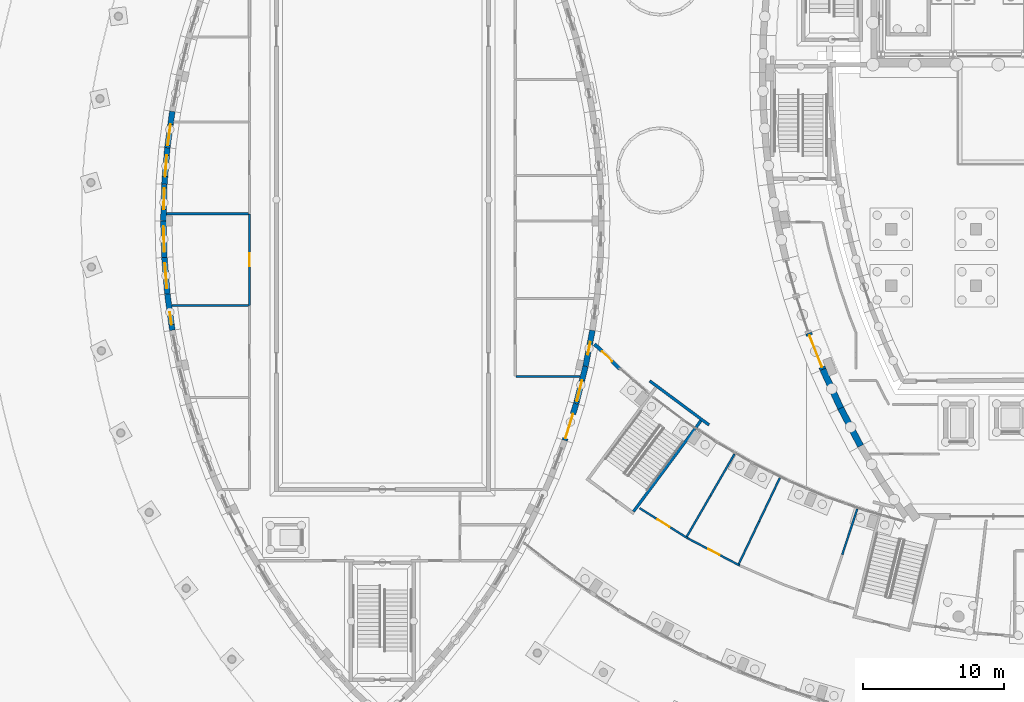
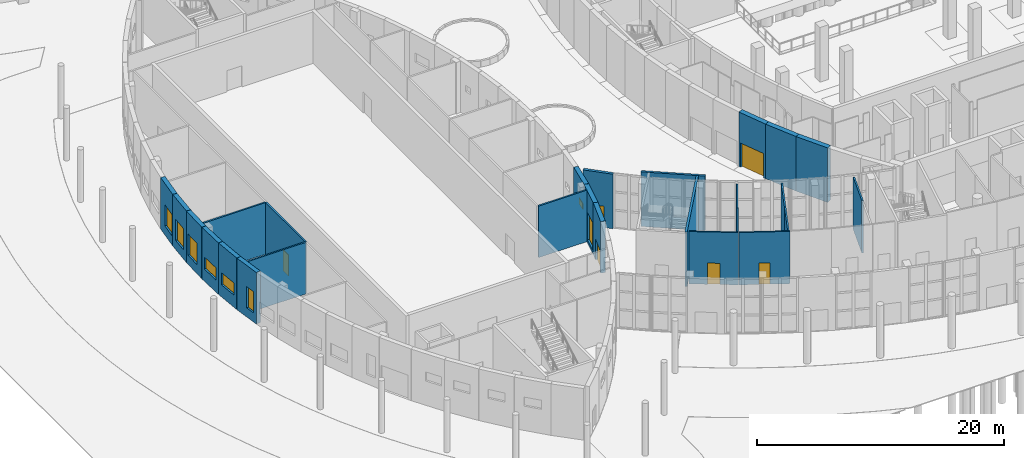
# One storey, part 43 of 82: 26 walls, 8 windows, 6 doors, 14 openings.
"""IFC4 building model written with IfcOpenShell, lengths in metres."""

from ifc_helpers import new_model, si_unit, direction, frame, frame_2d, origin, place, context, subcontext, project, spatial, rectangle, extrude, material, layer, layer_set, type_object, element, fill, save


model = new_model("IFC4")

# Units and contexts
model_context = context("Model", 3, precision=1e-05, world=origin(), true_north=direction((0.0, 1.0)))
body_context = subcontext(model_context, "Body", "Model", "MODEL_VIEW")
ifc_project = project(units=[si_unit("LENGTHUNIT", "METRE"), si_unit("AREAUNIT", "SQUARE_METRE"), si_unit("VOLUMEUNIT", "CUBIC_METRE"), si_unit("PLANEANGLEUNIT", "RADIAN"), si_unit("MASSUNIT", "GRAM", prefix="KILO")], contexts=[model_context])

# Site, building, storey
site_placement = place(None, origin())
site = spatial("IfcSite", under=ifc_project, at=site_placement, CompositionType="ELEMENT")
building_placement = place(site_placement, origin())
building = spatial("IfcBuilding", under=site, at=building_placement, Name="Tide Square Theatres", CompositionType="ELEMENT")
storey_placement = place(building_placement, origin())
storey = spatial("IfcBuildingStorey", under=building, at=storey_placement, Name="L00", CompositionType="ELEMENT", Elevation=0.0)

# Walls
ifc_material_1 = material(Name="Concrete masonry block", Category="masonry")
ifc_layer_1 = layer(ifc_material_1, 0.139892578125)
ifc_layer_set_1 = layer_set([ifc_layer_1], Name="Concrete masonry block")
wall_type_1 = type_object("IfcWallType", Name="Partition 140 thick", PredefinedType="PARTITIONING", material=ifc_layer_set_1)
wall_1_placement = place(storey_placement, frame((60.909912109375, 28.0068359375, 0.0), z_axis=(0.0, 0.0, 1.0), x_axis=(-0.499966231165, -0.866044899352, 0.0)))
element("IfcWall", 1, at=wall_1_placement, inside=storey, type_object=wall_type_1, Name="Foyer room partition", PredefinedType="PARTITIONING", context=body_context, shape_type="SweptSolid", body=[
    extrude(rectangle(XDim=3.409912109375, YDim=0.139892578125, at=frame_2d((1.705078125, 0.0))), origin(), (0.0, 0.0, 1.0), 5.179931640625),
])
wall_2_placement = place(storey_placement, frame((59.205078125, 25.0537109375, 0.0), z_axis=(0.0, 0.0, 1.0), x_axis=(-0.500018952895, -0.866014461049, 0.0)))
element("IfcWall", 2, at=wall_2_placement, inside=storey, type_object=wall_type_1, Name="Foyer room partition", PredefinedType="PARTITIONING", context=body_context, shape_type="SweptSolid", body=[
    extrude(rectangle(XDim=3.349853515625, YDim=0.139892578125, at=frame_2d((1.6748046875, 0.0))), origin(), (0.0, 0.0, 1.0), 5.179931640625),
])
wall_3_placement = place(storey_placement, frame((64.118896484375, 26.318603515625, 0.0), z_axis=(0.0, 0.0, 1.0), x_axis=(-0.430497650431, -0.90259169782, 0.0)))
element("IfcWall", 3, at=wall_3_placement, inside=storey, type_object=wall_type_1, Name="Foyer room partition", PredefinedType="PARTITIONING", context=body_context, shape_type="SweptSolid", body=[
    extrude(rectangle(XDim=3.41015625, YDim=0.139892578125, at=frame_2d((1.705078125, 0.0))), origin(), (0.0, 0.0, 1.0), 5.179931640625),
])
wall_4_placement = place(storey_placement, frame((62.65087890625, 23.24072265625, 0.0), z_axis=(0.0, 0.0, 1.0), x_axis=(-0.430519112568, -0.902581460985, 0.0)))
element("IfcWall", 4, at=wall_4_placement, inside=storey, type_object=wall_type_1, Name="Foyer room partition", PredefinedType="PARTITIONING", context=body_context, shape_type="SweptSolid", body=[
    extrude(rectangle(XDim=3.349853515625, YDim=0.139892578125, at=frame_2d((1.6748046875, 0.0))), origin(), (0.0, 0.0, 1.0), 5.179931640625),
])
wall_5_placement = place(storey_placement, frame((69.594970703125, 24.124267578125, 0.0), z_axis=(0.0, 0.0, 1.0), x_axis=(-0.311928968211, -0.950105425093, 0.0)))
element("IfcWall", 5, at=wall_5_placement, inside=storey, type_object=wall_type_1, Name="Foyer room partition", PredefinedType="PARTITIONING", context=body_context, shape_type="SweptSolid", body=[
    extrude(rectangle(XDim=3.41015625, YDim=0.139892578125, at=frame_2d((1.705078125, 0.0))), origin(), (0.0, 0.0, 1.0), 5.179931640625),
])

# Wall, opening, door
wall_6_placement = place(storey_placement, frame((54.192138671875, 24.176513671875, 0.0), z_axis=(0.0, 0.0, 1.0), x_axis=(0.847567325232, -0.530687883035, 0.0)))
wall_6 = element("IfcWall", 6, at=wall_6_placement, inside=storey, type_object=wall_type_1, Name="Foyer room wall", PredefinedType="PARTITIONING", context=body_context, shape_type="SweptSolid", body=[
    extrude(rectangle(XDim=4.012451171875, YDim=0.139892578125, at=frame_2d((2.00634765625, 0.0))), origin(), (0.0, 0.0, 1.0), 5.179931640625),
])
opening_1_placement = place(wall_6_placement, frame((1.506103515625, 0.0, 0.0)))
opening_1 = element("IfcOpeningElement", 7, at=opening_1_placement, cuts=wall_6, Name="Opening F00-17", PredefinedType="OPENING", context=body_context, shape_type="SweptSolid", body=[
    extrude(rectangle(XDim=1.0, YDim=2.10009765625, at=frame_2d((0.5, 1.050048828125))), frame((0.0, 0.079833984375, 0.0), z_axis=(0.0, -1.0, 0.0), x_axis=(1.0, 0.0, 0.0)), (0.0, 0.0, 1.0), 0.159912109375),
])
ifc_material_2 = material(Name="Hardwood timber", Category="wood")
door_type_1 = type_object("IfcDoorType", Name="Door 1000 x 2100 single leaf", OperationType="NOTDEFINED", PredefinedType="DOOR", material=ifc_material_2)
door_1_placement = place(opening_1_placement, origin())
door_1 = element("IfcDoor", 8, at=door_1_placement, inside=storey, type_object=door_type_1, Name="Cloakroom door", OperationType="SINGLE_SWING_RIGHT", OverallHeight=2.10009765625, OverallWidth=1.0, PredefinedType="DOOR", context=body_context, shape_type="SweptSolid", body=[
    extrude(rectangle(XDim=1.0, YDim=2.10009765625, at=frame_2d((0.5, 1.050048828125))), frame((0.0, 0.02490234375, 0.0), z_axis=(0.0, -1.0, 0.0), x_axis=(1.0, 0.0, 0.0)), (0.0, 0.0, 1.0), 0.050048828125),
])
fill(opening_1, door_1)

wall_7_placement = place(storey_placement, frame((57.6103515625, 22.037109375, 0.0), z_axis=(0.0, 0.0, 1.0), x_axis=(0.886024097767, -0.463639189646, 0.0)))
wall_7 = element("IfcWall", 9, at=wall_7_placement, inside=storey, type_object=wall_type_1, Name="Foyer room wall", PredefinedType="PARTITIONING", context=body_context, shape_type="SweptSolid", body=[
    extrude(rectangle(XDim=4.142578125, YDim=0.139892578125, at=frame_2d((2.0712890625, 0.0))), origin(), (0.0, 0.0, 1.0), 5.179931640625),
])
opening_2_placement = place(wall_7_placement, frame((1.621337890625, 0.0, 0.0)))
opening_2 = element("IfcOpeningElement", 10, at=opening_2_placement, cuts=wall_7, Name="Opening F00-18", PredefinedType="OPENING", context=body_context, shape_type="SweptSolid", body=[
    extrude(rectangle(XDim=0.89990234375, YDim=2.10009765625, at=frame_2d((0.449951171875, 1.050048828125))), frame((0.0, 0.079833984375, 0.0), z_axis=(0.0, -1.0, 0.0), x_axis=(1.0, 0.0, 0.0)), (0.0, 0.0, 1.0), 0.159912109375),
])
ifc_material_3 = material(Name="Hardwood timber", Category="wood")
door_type_2 = type_object("IfcDoorType", Name="Door 900 x 2100 single leaf", OperationType="NOTDEFINED", PredefinedType="DOOR", material=ifc_material_3)
door_2_placement = place(opening_2_placement, origin())
door_2 = element("IfcDoor", 11, at=door_2_placement, inside=storey, type_object=door_type_2, Name="Public Toilets door", OperationType="SINGLE_SWING_RIGHT", OverallHeight=2.10009765625, OverallWidth=0.89990234375, PredefinedType="DOOR", context=body_context, shape_type="SweptSolid", body=[
    extrude(rectangle(XDim=0.89990234375, YDim=2.10009765625, at=frame_2d((0.449951171875, 1.050048828125))), frame((0.0, 0.02490234375, 0.0), z_axis=(0.0, -1.0, 0.0), x_axis=(1.0, 0.0, 0.0)), (0.0, 0.0, 1.0), 0.050048828125),
])
fill(opening_2, door_2)

ifc_material_4 = material(Name="Gypsum board on steel studs", Category="steel")
ifc_layer_2 = layer(ifc_material_4, 0.14990234375)
ifc_layer_set_2 = layer_set([ifc_layer_2], Name="Gypsum board on steel studs")
wall_type_2 = type_object("IfcWallType", Name="Partition 150 thick", PredefinedType="PARTITIONING", material=ifc_layer_set_2)
wall_8_placement = place(storey_placement, frame((26.60009765625, 38.52001953125, 0.0), z_axis=(0.0, 0.0, 1.0), x_axis=(0.0, 1.0, 0.0)))
wall_8 = element("IfcWall", 12, at=wall_8_placement, inside=storey, type_object=wall_type_2, Name="Studio Theatre partition", PredefinedType="PARTITIONING", context=body_context, shape_type="SweptSolid", body=[
    extrude(rectangle(XDim=6.4599609375, YDim=0.14990234375, at=frame_2d((3.22998046875, 0.0))), origin(), (0.0, 0.0, 1.0), 5.10009765625),
])
opening_3_placement = place(wall_8_placement, frame((2.780029296875, 0.0, 0.0)))
opening_3 = element("IfcOpeningElement", 13, at=opening_3_placement, cuts=wall_8, Name="Opening S00-15", PredefinedType="OPENING", context=body_context, shape_type="SweptSolid", body=[
    extrude(rectangle(XDim=0.89990234375, YDim=2.10009765625, at=frame_2d((0.449951171875, 1.050048828125))), frame((0.0, 0.0849609375, 0.0), z_axis=(0.0, -1.0, 0.0), x_axis=(1.0, 0.0, 0.0)), (0.0, 0.0, 1.0), 0.169921875),
])
door_3_placement = place(opening_3_placement, origin())
door_3 = element("IfcDoor", 14, at=door_3_placement, inside=storey, type_object=door_type_2, Name="Green Room door", OperationType="SINGLE_SWING_RIGHT", OverallHeight=2.10009765625, OverallWidth=0.89990234375, PredefinedType="DOOR", context=body_context, shape_type="SweptSolid", body=[
    extrude(rectangle(XDim=0.89990234375, YDim=2.10009765625, at=frame_2d((0.449951171875, 1.050048828125))), frame((0.0, 0.02490234375, 0.0), z_axis=(0.0, -1.0, 0.0), x_axis=(1.0, 0.0, 0.0)), (0.0, 0.0, 1.0), 0.050048828125),
])
fill(opening_3, door_3)

# Walls
wall_9_placement = place(storey_placement, frame((21.10205078125, 38.5, 0.0), z_axis=(0.0, 0.0, 1.0), x_axis=(1.0, 0.0, 0.0)))
element("IfcWall", 15, at=wall_9_placement, inside=storey, type_object=wall_type_2, Name="Studio Theatre partition", PredefinedType="PARTITIONING", context=body_context, shape_type="SweptSolid", body=[
    extrude(rectangle(XDim=5.43798828125, YDim=0.14990234375, at=frame_2d((2.718994140625, 0.0))), origin(), (0.0, 0.0, 1.0), 5.10009765625),
])
wall_10_placement = place(storey_placement, frame((20.72021484375, 45.0, 0.0), z_axis=(0.0, 0.0, 1.0), x_axis=(1.0, 0.0, 0.0)))
element("IfcWall", 16, at=wall_10_placement, inside=storey, type_object=wall_type_2, Name="Studio Theatre partition", PredefinedType="PARTITIONING", context=body_context, shape_type="SweptSolid", body=[
    extrude(rectangle(XDim=5.81982421875, YDim=0.14990234375, at=frame_2d((2.909912109375, 0.0))), origin(), (0.0, 0.0, 1.0), 5.10009765625),
])
wall_11_placement = place(storey_placement, frame((45.4599609375, 33.5, 0.0), z_axis=(0.0, 0.0, 1.0), x_axis=(1.0, 0.0, 0.0)))
element("IfcWall", 17, at=wall_11_placement, inside=storey, type_object=wall_type_2, Name="Studio Theatre partition", PredefinedType="PARTITIONING", context=body_context, shape_type="SweptSolid", body=[
    extrude(rectangle(XDim=4.528564453125, YDim=0.14990234375, at=frame_2d((2.26416015625, 0.0))), origin(), (0.0, 0.0, 1.0), 5.10009765625),
])

# Wall, opening, door
ifc_material_5 = material(Name="Concrete C40", Category="concrete")
ifc_layer_3 = layer(ifc_material_5, 0.39990234375)
ifc_layer_set_3 = layer_set([ifc_layer_3], Name="Concrete C40")
wall_type_3 = type_object("IfcWallType", Name="RC curved wall 400 thick", PredefinedType="SOLIDWALL", material=ifc_layer_set_3)
wall_12_placement = place(storey_placement, frame((48.899169921875, 28.968994140625, 0.0), z_axis=(0.0, 0.0, 1.0), x_axis=(0.29795748067, 0.954579142718, 0.0)))
wall_12 = element("IfcWall", 18, at=wall_12_placement, inside=storey, type_object=wall_type_3, Name="Studio Theatre perimeter wall", PredefinedType="SOLIDWALL", context=body_context, shape_type="SweptSolid", body=[
    extrude(rectangle(XDim=2.714599609375, YDim=0.39990234375, at=frame_2d((1.357421875, 0.0))), origin(), (0.0, 0.0, 1.0), 5.10009765625),
])
opening_4_placement = place(wall_12_placement, frame((0.14990234375, 0.0, 0.0)))
opening_4 = element("IfcOpeningElement", 19, at=opening_4_placement, cuts=wall_12, Name="Opening S00-06", PredefinedType="OPENING", context=body_context, shape_type="SweptSolid", body=[
    extrude(rectangle(XDim=1.800048828125, YDim=2.10009765625, at=frame_2d((0.89990234375, 1.050048828125))), frame((0.0, 0.2099609375, 0.0), z_axis=(0.0, -1.0, 0.0), x_axis=(1.0, 0.0, 0.0)), (0.0, 0.0, 1.0), 0.419921875),
])
ifc_material_6 = material(Name="Hardwood timber", Category="wood")
door_type_3 = type_object("IfcDoorType", Name="Door 1800 x 2100 double leaf", OperationType="DOUBLE_DOOR_SINGLE_SWING", PredefinedType="DOOR", material=ifc_material_6)
door_4_placement = place(opening_4_placement, frame((1.800048828125, 0.0, 0.0), z_axis=(0.0, 0.0, 1.0), x_axis=(-1.0, 0.0, 0.0)))
door_4 = element("IfcDoor", 20, at=door_4_placement, inside=storey, type_object=door_type_3, Name="Studio Theatre foyer door", OperationType="DOUBLE_DOOR_SINGLE_SWING", OverallHeight=2.10009765625, OverallWidth=1.800048828125, PredefinedType="DOOR", context=body_context, shape_type="SweptSolid", body=[
    extrude(rectangle(XDim=1.800048828125, YDim=2.10009765625, at=frame_2d((0.89990234375, 1.050048828125))), frame((0.0, 0.02490234375, 0.0), z_axis=(0.0, -1.0, 0.0), x_axis=(1.0, 0.0, 0.0)), (0.0, 0.0, 1.0), 0.050048828125),
])
fill(opening_4, door_4)

# Wall, opening, window
wall_13_placement = place(storey_placement, frame((49.7109375, 31.5712890625, 0.0), z_axis=(0.0, 0.0, 1.0), x_axis=(0.2430011368, 0.970026003525, 0.0)))
wall_13 = element("IfcWall", 21, at=wall_13_placement, inside=storey, type_object=wall_type_3, Name="Studio Theatre perimeter wall", PredefinedType="SOLIDWALL", context=body_context, shape_type="SweptSolid", body=[
    extrude(rectangle(XDim=2.714599609375, YDim=0.39990234375, at=frame_2d((1.357421875, 0.0))), origin(), (0.0, 0.0, 1.0), 5.10009765625),
])
opening_5_placement = place(wall_13_placement, frame((0.194091796875, 0.0, 0.300048828125)))
opening_5 = element("IfcOpeningElement", 22, at=opening_5_placement, cuts=wall_13, Name="Opening WN-02", PredefinedType="OPENING", context=body_context, shape_type="SweptSolid", body=[
    extrude(rectangle(XDim=1.5, YDim=2.699951171875, at=frame_2d((0.75, 1.35009765625))), frame((0.0, 0.2099609375, 0.0), z_axis=(0.0, -1.0, 0.0), x_axis=(1.0, 0.0, 0.0)), (0.0, 0.0, 1.0), 0.419921875),
])
ifc_material_7 = material(Name="Aluminium with laminated glass", Category="aluminium")
window_type_1 = type_object("IfcWindowType", Name="Window 1500 x 2700", PartitioningType="SINGLE_PANEL", PredefinedType="WINDOW", material=ifc_material_7)
window_1_placement = place(opening_5_placement, origin())
window_1 = element("IfcWindow", 23, at=window_1_placement, inside=storey, type_object=window_type_1, Name="Studio Theatre Studio East Lobby window", OverallHeight=2.699951171875, OverallWidth=1.5, PartitioningType="SINGLE_PANEL", PredefinedType="WINDOW", context=body_context, shape_type="SweptSolid", body=[
    extrude(rectangle(XDim=1.5, YDim=2.699951171875, at=frame_2d((0.75, 1.35009765625))), frame((0.0, 0.030029296875, 0.0), z_axis=(0.0, -1.0, 0.0), x_axis=(1.0, 0.0, 0.0)), (0.0, 0.0, 1.0), 0.06005859375),
])
fill(opening_5, window_1)

wall_14_placement = place(storey_placement, frame((50.373046875, 34.21533203125, 0.0), z_axis=(0.0, 0.0, 1.0), x_axis=(0.188763210152, 0.982022632373, 0.0)))
wall_14 = element("IfcWall", 24, at=wall_14_placement, inside=storey, type_object=wall_type_3, Name="Studio Theatre perimeter wall", PredefinedType="SOLIDWALL", context=body_context, shape_type="SweptSolid", body=[
    extrude(rectangle(XDim=2.58154296875, YDim=0.39990234375, at=frame_2d((1.290771484375, 0.0))), origin(), (0.0, 0.0, 1.0), 5.10009765625),
])
opening_6_placement = place(wall_14_placement, frame((0.8408203125, 0.0, 2.0)))
opening_6 = element("IfcOpeningElement", 25, at=opening_6_placement, cuts=wall_14, Name="Opening WN-12", PredefinedType="OPENING", context=body_context, shape_type="SweptSolid", body=[
    extrude(rectangle(XDim=0.89990234375, YDim=0.60009765625, at=frame_2d((0.449951171875, 0.300048828125))), frame((0.0, 0.2099609375, 0.0), z_axis=(0.0, -1.0, 0.0), x_axis=(1.0, 0.0, 0.0)), (0.0, 0.0, 1.0), 0.419921875),
])
ifc_material_8 = material(Name="Aluminium with laminated glass", Category="aluminium")
window_type_2 = type_object("IfcWindowType", Name="Window 900 x 600", PartitioningType="SINGLE_PANEL", PredefinedType="WINDOW", material=ifc_material_8)
window_2_placement = place(opening_6_placement, origin())
window_2 = element("IfcWindow", 26, at=window_2_placement, inside=storey, type_object=window_type_2, Name="Studio Theatre Women's WC window", OverallHeight=0.60009765625, OverallWidth=0.89990234375, PartitioningType="SINGLE_PANEL", PredefinedType="WINDOW", context=body_context, shape_type="SweptSolid", body=[
    extrude(rectangle(XDim=0.89990234375, YDim=0.60009765625, at=frame_2d((0.449951171875, 0.300048828125))), frame((0.0, 0.030029296875, 0.0), z_axis=(0.0, -1.0, 0.0), x_axis=(1.0, 0.0, 0.0)), (0.0, 0.0, 1.0), 0.06005859375),
])
fill(opening_6, window_2)

wall_15_placement = place(storey_placement, frame((21.137939453125, 52.239013671875, 0.0), z_axis=(0.0, 0.0, 1.0), x_axis=(-0.13522291824, -0.990815200924, 0.0)))
wall_15 = element("IfcWall", 27, at=wall_15_placement, inside=storey, type_object=wall_type_3, Name="Studio Theatre perimeter wall", PredefinedType="SOLIDWALL", context=body_context, shape_type="SweptSolid", body=[
    extrude(rectangle(XDim=2.581787109375, YDim=0.39990234375, at=frame_2d((1.291015625, 0.0))), origin(), (0.0, 0.0, 1.0), 5.10009765625),
])
opening_7_placement = place(wall_15_placement, frame((0.925048828125, 0.0, 0.89990234375)))
opening_7 = element("IfcOpeningElement", 28, at=opening_7_placement, cuts=wall_15, Name="Opening WN-01", PredefinedType="OPENING", context=body_context, shape_type="SweptSolid", body=[
    extrude(rectangle(XDim=1.5, YDim=2.10009765625, at=frame_2d((0.75, 1.050048828125))), frame((0.0, 0.2099609375, 0.0), z_axis=(0.0, -1.0, 0.0), x_axis=(1.0, 0.0, 0.0)), (0.0, 0.0, 1.0), 0.419921875),
])
ifc_material_9 = material(Name="Aluminium with laminated glass", Category="aluminium")
window_type_3 = type_object("IfcWindowType", Name="Window 1500 x 2100", PartitioningType="SINGLE_PANEL", PredefinedType="WINDOW", material=ifc_material_9)
window_3_placement = place(opening_7_placement, origin())
window_3 = element("IfcWindow", 29, at=window_3_placement, inside=storey, type_object=window_type_3, Name="Studio Theatre Wardrobe window", OverallHeight=2.10009765625, OverallWidth=1.5, PartitioningType="SINGLE_PANEL", PredefinedType="WINDOW", context=body_context, shape_type="SweptSolid", body=[
    extrude(rectangle(XDim=1.5, YDim=2.10009765625, at=frame_2d((0.75, 1.050048828125))), frame((0.0, 0.030029296875, 0.0), z_axis=(0.0, -1.0, 0.0), x_axis=(1.0, 0.0, 0.0)), (0.0, 0.0, 1.0), 0.06005859375),
])
fill(opening_7, window_3)

wall_16_placement = place(storey_placement, frame((20.787841796875, 49.670166015625, 0.0), z_axis=(0.0, 0.0, 1.0), x_axis=(-0.081323667998, -0.996687744995, 0.0)))
wall_16 = element("IfcWall", 30, at=wall_16_placement, inside=storey, type_object=wall_type_3, Name="Studio Theatre perimeter wall", PredefinedType="SOLIDWALL", context=body_context, shape_type="SweptSolid", body=[
    extrude(rectangle(XDim=2.581787109375, YDim=0.39990234375, at=frame_2d((1.291015625, 0.0))), origin(), (0.0, 0.0, 1.0), 5.10009765625),
])
opening_8_placement = place(wall_16_placement, frame((0.541015625, 0.0, 0.89990234375)))
opening_8 = element("IfcOpeningElement", 31, at=opening_8_placement, cuts=wall_16, Name="Opening WN-01", PredefinedType="OPENING", context=body_context, shape_type="SweptSolid", body=[
    extrude(rectangle(XDim=1.5, YDim=2.10009765625, at=frame_2d((0.75, 1.050048828125))), frame((0.0, 0.2099609375, 0.0), z_axis=(0.0, -1.0, 0.0), x_axis=(1.0, 0.0, 0.0)), (0.0, 0.0, 1.0), 0.419921875),
])
window_4_placement = place(opening_8_placement, origin())
window_4 = element("IfcWindow", 32, at=window_4_placement, inside=storey, type_object=window_type_3, Name="Studio Theatre Wardrobe window", OverallHeight=2.10009765625, OverallWidth=1.5, PartitioningType="SINGLE_PANEL", PredefinedType="WINDOW", context=body_context, shape_type="SweptSolid", body=[
    extrude(rectangle(XDim=1.5, YDim=2.10009765625, at=frame_2d((0.75, 1.050048828125))), frame((0.0, 0.030029296875, 0.0), z_axis=(0.0, -1.0, 0.0), x_axis=(1.0, 0.0, 0.0)), (0.0, 0.0, 1.0), 0.06005859375),
])
fill(opening_8, window_4)

wall_17_placement = place(storey_placement, frame((20.577392578125, 47.086181640625, 0.0), z_axis=(0.0, 0.0, 1.0), x_axis=(-0.027139748682, -0.99963164918, 0.0)))
wall_17 = element("IfcWall", 33, at=wall_17_placement, inside=storey, type_object=wall_type_3, Name="Studio Theatre perimeter wall", PredefinedType="SOLIDWALL", context=body_context, shape_type="SweptSolid", body=[
    extrude(rectangle(XDim=2.581787109375, YDim=0.39990234375, at=frame_2d((1.291015625, 0.0))), origin(), (0.0, 0.0, 1.0), 5.10009765625),
])
opening_9_placement = place(wall_17_placement, frame((0.265869140625, 0.0, 0.89990234375)))
opening_9 = element("IfcOpeningElement", 34, at=opening_9_placement, cuts=wall_17, Name="Opening WN-01", PredefinedType="OPENING", context=body_context, shape_type="SweptSolid", body=[
    extrude(rectangle(XDim=1.5, YDim=2.10009765625, at=frame_2d((0.75, 1.050048828125))), frame((0.0, 0.2099609375, 0.0), z_axis=(0.0, -1.0, 0.0), x_axis=(1.0, 0.0, 0.0)), (0.0, 0.0, 1.0), 0.419921875),
])
window_5_placement = place(opening_9_placement, origin())
window_5 = element("IfcWindow", 35, at=window_5_placement, inside=storey, type_object=window_type_3, Name="Studio Theatre Wardrobe window", OverallHeight=2.10009765625, OverallWidth=1.5, PartitioningType="SINGLE_PANEL", PredefinedType="WINDOW", context=body_context, shape_type="SweptSolid", body=[
    extrude(rectangle(XDim=1.5, YDim=2.10009765625, at=frame_2d((0.75, 1.050048828125))), frame((0.0, 0.030029296875, 0.0), z_axis=(0.0, -1.0, 0.0), x_axis=(1.0, 0.0, 0.0)), (0.0, 0.0, 1.0), 0.06005859375),
])
fill(opening_9, window_5)

wall_18_placement = place(storey_placement, frame((20.50732421875, 44.49462890625, 0.0), z_axis=(0.0, 0.0, 1.0), x_axis=(0.027139748682, -0.99963164918, 0.0)))
wall_18 = element("IfcWall", 36, at=wall_18_placement, inside=storey, type_object=wall_type_3, Name="Studio Theatre perimeter wall", PredefinedType="SOLIDWALL", context=body_context, shape_type="SweptSolid", body=[
    extrude(rectangle(XDim=2.581787109375, YDim=0.39990234375, at=frame_2d((1.291015625, 0.0))), origin(), (0.0, 0.0, 1.0), 5.10009765625),
])
opening_10_placement = place(wall_18_placement, frame((0.390869140625, 0.0, 1.199951171875)))
opening_10 = element("IfcOpeningElement", 37, at=opening_10_placement, cuts=wall_18, Name="Opening WN-26", PredefinedType="OPENING", context=body_context, shape_type="SweptSolid", body=[
    extrude(rectangle(XDim=1.800048828125, YDim=1.199951171875, at=frame_2d((0.89990234375, 0.60009765625))), frame((0.0, 0.2099609375, 0.0), z_axis=(0.0, -1.0, 0.0), x_axis=(1.0, 0.0, 0.0)), (0.0, 0.0, 1.0), 0.419921875),
])
ifc_material_10 = material(Name="Aluminium with laminated glass", Category="aluminium")
window_type_4 = type_object("IfcWindowType", Name="Window 1800 x 1200", PartitioningType="DOUBLE_PANEL_VERTICAL", PredefinedType="WINDOW", material=ifc_material_10)
window_6_placement = place(opening_10_placement, origin())
window_6 = element("IfcWindow", 38, at=window_6_placement, inside=storey, type_object=window_type_4, Name="Studio Theatre Green Room window", OverallHeight=1.199951171875, OverallWidth=1.800048828125, PartitioningType="SINGLE_PANEL", PredefinedType="WINDOW", context=body_context, shape_type="SweptSolid", body=[
    extrude(rectangle(XDim=1.800048828125, YDim=1.199951171875, at=frame_2d((0.89990234375, 0.60009765625))), frame((0.0, 0.030029296875, 0.0), z_axis=(0.0, -1.0, 0.0), x_axis=(1.0, 0.0, 0.0)), (0.0, 0.0, 1.0), 0.06005859375),
])
fill(opening_10, window_6)

wall_19_placement = place(storey_placement, frame((20.577880859375, 41.903076171875, 0.0), z_axis=(0.0, 0.0, 1.0), x_axis=(0.081323667998, -0.996687744995, 0.0)))
wall_19 = element("IfcWall", 39, at=wall_19_placement, inside=storey, type_object=wall_type_3, Name="Studio Theatre perimeter wall", PredefinedType="SOLIDWALL", context=body_context, shape_type="SweptSolid", body=[
    extrude(rectangle(XDim=2.581787109375, YDim=0.39990234375, at=frame_2d((1.291015625, 0.0))), origin(), (0.0, 0.0, 1.0), 5.10009765625),
])
opening_11_placement = place(wall_19_placement, frame((0.390869140625, 0.0, 1.199951171875)))
opening_11 = element("IfcOpeningElement", 40, at=opening_11_placement, cuts=wall_19, Name="Opening WN-26", PredefinedType="OPENING", context=body_context, shape_type="SweptSolid", body=[
    extrude(rectangle(XDim=1.800048828125, YDim=1.199951171875, at=frame_2d((0.89990234375, 0.60009765625))), frame((0.0, 0.2099609375, 0.0), z_axis=(0.0, -1.0, 0.0), x_axis=(1.0, 0.0, 0.0)), (0.0, 0.0, 1.0), 0.419921875),
])
window_7_placement = place(opening_11_placement, origin())
window_7 = element("IfcWindow", 41, at=window_7_placement, inside=storey, type_object=window_type_4, Name="Studio Theatre Green Room window", OverallHeight=1.199951171875, OverallWidth=1.800048828125, PartitioningType="SINGLE_PANEL", PredefinedType="WINDOW", context=body_context, shape_type="SweptSolid", body=[
    extrude(rectangle(XDim=1.800048828125, YDim=1.199951171875, at=frame_2d((0.89990234375, 0.60009765625))), frame((0.0, 0.030029296875, 0.0), z_axis=(0.0, -1.0, 0.0), x_axis=(1.0, 0.0, 0.0)), (0.0, 0.0, 1.0), 0.06005859375),
])
fill(opening_11, window_7)

wall_20_placement = place(storey_placement, frame((20.788818359375, 39.319091796875, 0.0), z_axis=(0.0, 0.0, 1.0), x_axis=(0.13522291824, -0.990815200924, 0.0)))
wall_20 = element("IfcWall", 42, at=wall_20_placement, inside=storey, type_object=wall_type_3, Name="Studio Theatre perimeter wall", PredefinedType="SOLIDWALL", context=body_context, shape_type="SweptSolid", body=[
    extrude(rectangle(XDim=2.581787109375, YDim=0.39990234375, at=frame_2d((1.291015625, 0.0))), origin(), (0.0, 0.0, 1.0), 5.10009765625),
])
opening_12_placement = place(wall_20_placement, frame((1.292724609375, 0.0, 0.89990234375)))
opening_12 = element("IfcOpeningElement", 43, at=opening_12_placement, cuts=wall_20, Name="Opening WN-10", PredefinedType="OPENING", context=body_context, shape_type="SweptSolid", body=[
    extrude(rectangle(XDim=0.89990234375, YDim=2.10009765625, at=frame_2d((0.449951171875, 1.050048828125))), frame((0.0, 0.2099609375, 0.0), z_axis=(0.0, -1.0, 0.0), x_axis=(1.0, 0.0, 0.0)), (0.0, 0.0, 1.0), 0.419921875),
])
ifc_material_11 = material(Name="Aluminium with laminated glass", Category="aluminium")
window_type_5 = type_object("IfcWindowType", Name="Window 900 x 2100", PartitioningType="SINGLE_PANEL", PredefinedType="WINDOW", material=ifc_material_11)
window_8_placement = place(opening_12_placement, origin())
window_8 = element("IfcWindow", 44, at=window_8_placement, inside=storey, type_object=window_type_5, Name="Studio Theatre Dressing Room 02 window", OverallHeight=2.10009765625, OverallWidth=0.89990234375, PartitioningType="SINGLE_PANEL", PredefinedType="WINDOW", context=body_context, shape_type="SweptSolid", body=[
    extrude(rectangle(XDim=0.89990234375, YDim=2.10009765625, at=frame_2d((0.449951171875, 1.050048828125))), frame((0.0, 0.030029296875, 0.0), z_axis=(0.0, -1.0, 0.0), x_axis=(1.0, 0.0, 0.0)), (0.0, 0.0, 1.0), 0.06005859375),
])
fill(opening_12, window_8)

# Wall, opening, door
ifc_material_12 = material(Name="Concrete C40", Category="concrete")
ifc_layer_4 = layer(ifc_material_12, 0.449951171875)
ifc_layer_set_4 = layer_set([ifc_layer_4], Name="Concrete C40")
wall_type_4 = type_object("IfcWallType", Name="RC curved wall 450 thick", PredefinedType="SOLIDWALL", material=ifc_layer_set_4)
wall_21_placement = place(storey_placement, frame((66.153076171875, 36.55322265625, 0.0), z_axis=(0.0, 0.0, 1.0), x_axis=(0.366920100653, -0.930252460215, 0.0)))
wall_21 = element("IfcWall", 45, at=wall_21_placement, inside=storey, type_object=wall_type_4, Name="Main Theatre perimeter wall", PredefinedType="SOLIDWALL", context=body_context, shape_type="SweptSolid", body=[
    extrude(rectangle(XDim=2.751953125, YDim=0.449951171875, at=frame_2d((1.3759765625, 0.0))), origin(), (0.0, 0.0, 1.0), 5.39990234375),
])
opening_13_placement = place(wall_21_placement, frame((0.176025390625, 0.0, 0.0)))
opening_13 = element("IfcOpeningElement", 46, at=opening_13_placement, cuts=wall_21, Name="Opening M00-11", PredefinedType="OPENING", context=body_context, shape_type="SweptSolid", body=[
    extrude(rectangle(XDim=2.39990234375, YDim=2.39990234375, at=frame_2d((1.199951171875, 1.199951171875))), frame((0.0, 0.23486328125, 0.0), z_axis=(0.0, -1.0, 0.0), x_axis=(1.0, 0.0, 0.0)), (0.0, 0.0, 1.0), 0.469970703125),
])
ifc_material_13 = material(Name="Hardwood timber", Category="wood")
door_type_4 = type_object("IfcDoorType", Name="Door 2400 x 2400 double leaf", OperationType="DOUBLE_DOOR_SINGLE_SWING", PredefinedType="DOOR", material=ifc_material_13)
door_5_placement = place(opening_13_placement, frame((2.39990234375, 0.0, 0.0), z_axis=(0.0, 0.0, 1.0), x_axis=(-1.0, 0.0, 0.0)))
door_5 = element("IfcDoor", 47, at=door_5_placement, inside=storey, type_object=door_type_4, Name="Main Theatre exit doors", OperationType="DOUBLE_DOOR_SINGLE_SWING", OverallHeight=2.39990234375, OverallWidth=2.39990234375, PredefinedType="DOOR", context=body_context, shape_type="SweptSolid", body=[
    extrude(rectangle(XDim=2.39990234375, YDim=2.39990234375, at=frame_2d((1.199951171875, 1.199951171875))), frame((0.0, 0.02490234375, 0.0), z_axis=(0.0, -1.0, 0.0), x_axis=(1.0, 0.0, 0.0)), (0.0, 0.0, 1.0), 0.050048828125),
])
fill(opening_13, door_5)

# Walls
wall_22_placement = place(storey_placement, frame((67.162841796875, 33.9931640625, 0.0), z_axis=(0.0, 0.0, 1.0), x_axis=(0.416407051835, -0.909178292296, 0.0)))
element("IfcWall", 48, at=wall_22_placement, inside=storey, type_object=wall_type_4, Name="Main Theatre perimeter wall", PredefinedType="SOLIDWALL", context=body_context, shape_type="SweptSolid", body=[
    extrude(rectangle(XDim=3.021240234375, YDim=0.449951171875, at=frame_2d((1.5107421875, 0.0))), origin(), (0.0, 0.0, 1.0), 5.39990234375),
])
wall_23_placement = place(storey_placement, frame((68.4208984375, 31.246337890625, 0.0), z_axis=(0.0, 0.0, 1.0), x_axis=(0.466728769487, -0.884400506407, 0.0)))
element("IfcWall", 49, at=wall_23_placement, inside=storey, type_object=wall_type_4, Name="Main Theatre perimeter wall", PredefinedType="SOLIDWALL", context=body_context, shape_type="SweptSolid", body=[
    extrude(rectangle(XDim=3.020751953125, YDim=0.449951171875, at=frame_2d((1.51025390625, 0.0))), origin(), (0.0, 0.0, 1.0), 5.39990234375),
])
ifc_material_14 = material(Name="Concrete C40", Category="concrete")
ifc_layer_5 = layer(ifc_material_14, 0.199951171875)
ifc_layer_set_5 = layer_set([ifc_layer_5], Name="Concrete C40")
wall_type_5 = type_object("IfcWallType", Name="RC shear wall 200 thick", PredefinedType="SHEAR", material=ifc_layer_set_5)
wall_24_placement = place(storey_placement, frame((59.107177734375, 30.062255859375, 0.0), z_axis=(0.0, 0.0, 1.0), x_axis=(-0.803081454983, 0.595869261384, 0.0)))
element("IfcWall", 50, at=wall_24_placement, inside=storey, type_object=wall_type_5, Name="Exit stair F1 wall", PredefinedType="SHEAR", context=body_context, shape_type="SweptSolid", body=[
    extrude(rectangle(XDim=5.22998046875, YDim=0.199951171875, at=frame_2d((2.614990234375, 0.0))), origin(), (0.0, 0.0, 1.0), 5.39990234375),
])
wall_25_placement = place(storey_placement, frame((53.7666015625, 23.938720703125, 0.0), z_axis=(0.0, 0.0, 1.0), x_axis=(0.595885654141, 0.803069291648, 0.0)))
element("IfcWall", 51, at=wall_25_placement, inside=storey, type_object=wall_type_5, Name="Exit stair F1 wall", PredefinedType="SHEAR", context=body_context, shape_type="SweptSolid", body=[
    extrude(rectangle(XDim=8.0, YDim=0.199951171875, at=frame_2d((4.0, 0.0))), origin(), (0.0, 0.0, 1.0), 5.39990234375),
])

# Wall, opening, door
ifc_material_15 = material(Name="Concrete C40", Category="concrete")
ifc_layer_6 = layer(ifc_material_15, 0.25)
ifc_layer_set_6 = layer_set([ifc_layer_6], Name="Concrete C40")
wall_type_6 = type_object("IfcWallType", Name="RC shear wall 250 thick", PredefinedType="SHEAR", material=ifc_layer_set_6)
wall_26_placement = place(storey_placement, frame((52.7900390625, 34.037353515625, 0.0), z_axis=(0.0, 0.0, 1.0), x_axis=(-0.714838276245, 0.699289810318, 0.0)))
wall_26 = element("IfcWall", 52, at=wall_26_placement, inside=storey, type_object=wall_type_6, Name="Foyer court door pier wall", PredefinedType="SHEAR", context=body_context, shape_type="SweptSolid", body=[
    extrude(rectangle(XDim=2.49658203125, YDim=0.25, at=frame_2d((1.248291015625, 0.0))), origin(), (0.0, 0.0, 1.0), 5.39990234375),
])
opening_14_placement = place(wall_26_placement, frame((0.748291015625, 0.0, 0.0)))
opening_14 = element("IfcOpeningElement", 53, at=opening_14_placement, cuts=wall_26, Name="Opening F00-12", PredefinedType="OPENING", context=body_context, shape_type="SweptSolid", body=[
    extrude(rectangle(XDim=1.0, YDim=2.10009765625, at=frame_2d((0.5, 1.050048828125))), frame((0.0, 0.135009765625, 0.0), z_axis=(0.0, -1.0, 0.0), x_axis=(1.0, 0.0, 0.0)), (0.0, 0.0, 1.0), 0.27001953125),
])
door_6_placement = place(opening_14_placement, origin())
door_6 = element("IfcDoor", 54, at=door_6_placement, inside=storey, type_object=door_type_1, Name="Foyer court door", OperationType="SINGLE_SWING_LEFT", OverallHeight=2.10009765625, OverallWidth=1.0, PredefinedType="DOOR", context=body_context, shape_type="SweptSolid", body=[
    extrude(rectangle(XDim=1.0, YDim=2.10009765625, at=frame_2d((0.5, 1.050048828125))), frame((0.0, 0.02490234375, 0.0), z_axis=(0.0, -1.0, 0.0), x_axis=(1.0, 0.0, 0.0)), (0.0, 0.0, 1.0), 0.050048828125),
])
fill(opening_14, door_6)

save(model, "model.ifc")
